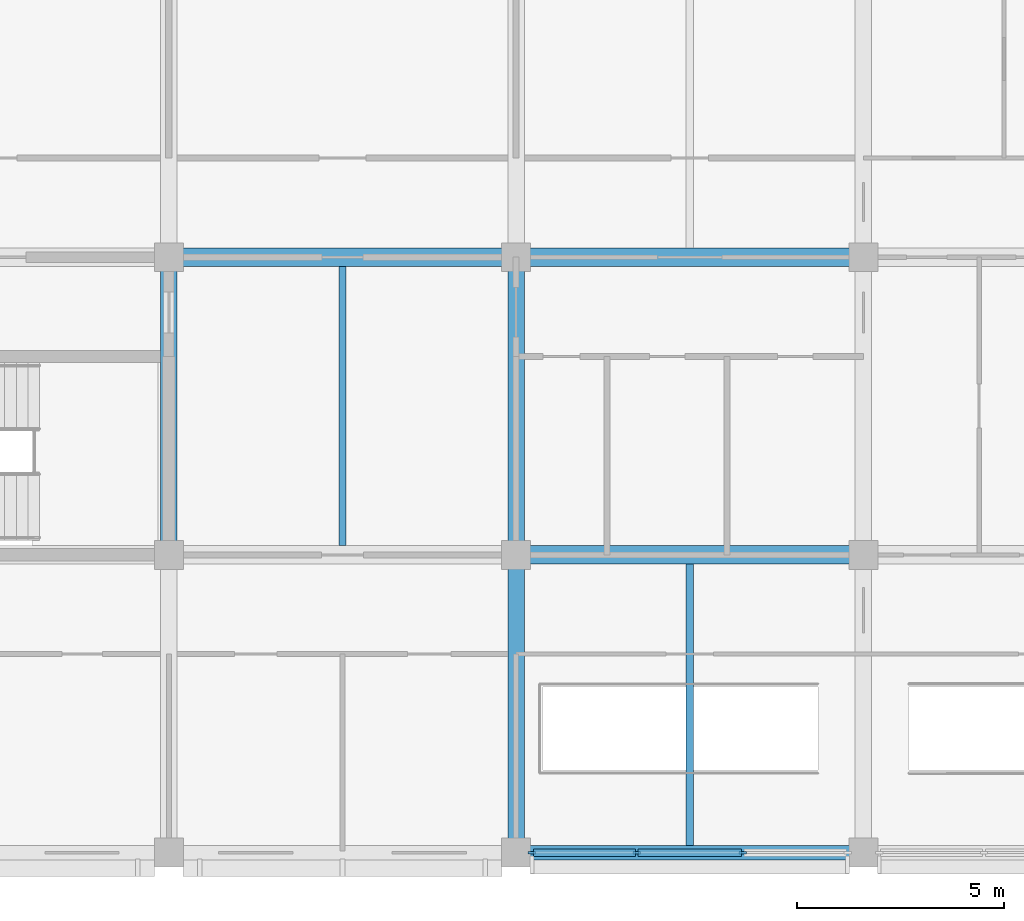
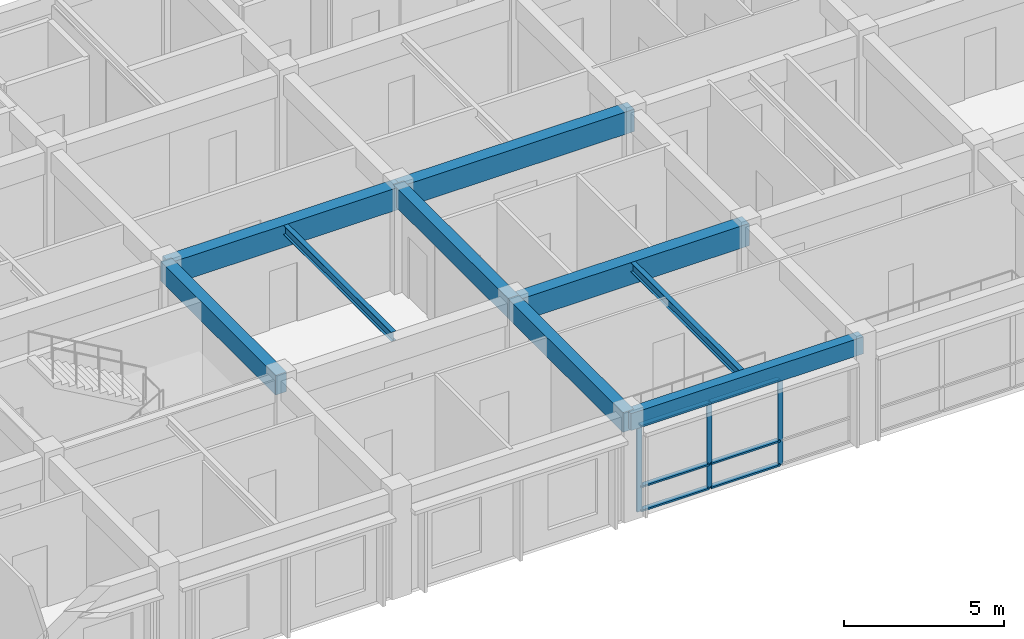
# One storey, part 2 of 17: 9 beams, 9 members, 1 element without a shape of its own.
"""IFC4 building model written with IfcOpenShell, lengths in metres."""

from ifc_helpers import new_model, si_unit, direction, frame, origin, origin_2d, place, context, subcontext, project, spatial, rectangle, i_section, extrude, material, layer, layer_set, material_profile, profile_set, type_object, element, aggregate, save


model = new_model("IFC4")

# Units and contexts
model_context = context("Model", 3, precision=1e-05, world=origin(), true_north=direction((0.0, 1.0)))
body_context = subcontext(model_context, "Body", "Model", "MODEL_VIEW")
ifc_project = project(units=[si_unit("LENGTHUNIT", "METRE"), si_unit("AREAUNIT", "SQUARE_METRE"), si_unit("VOLUMEUNIT", "CUBIC_METRE"), si_unit("PLANEANGLEUNIT", "RADIAN"), si_unit("MASSUNIT", "GRAM", prefix="KILO")], contexts=[model_context])

# Site, building, storey
site_placement = place(None, origin())
site = spatial("IfcSite", under=ifc_project, at=site_placement, CompositionType="ELEMENT")
building_placement = place(site_placement, origin())
building = spatial("IfcBuilding", under=site, at=building_placement, Name="Chengyuan Square Courthouse", CompositionType="ELEMENT")
storey_placement = place(building_placement, frame((0.0, 0.0, 51.89990234375)))
storey = spatial("IfcBuildingStorey", under=building, at=storey_placement, Name="L12", CompositionType="ELEMENT", Elevation=51.89990234375)

# Beams
ifc_material_1 = material(Name="Concrete C40", Category="concrete")
ifc_material_profile_1 = material_profile(ifc_material_1, rectangle(XDim=0.449951171875, YDim=0.85009765625, at=origin_2d()), Name="RC-BM-450x850")
ifc_profile_set_1 = profile_set([ifc_material_profile_1], Name="Concrete C40")
beam_type_1 = type_object("IfcBeamType", Name="BM-01", PredefinedType="USERDEFINED", material=ifc_profile_set_1)
beam_1_placement = place(storey_placement, frame((75.60009765625, 86.39990234375, 3.53515625), z_axis=(1.0, 0.0, 0.0), x_axis=(0.0, 1.0, 0.0)))
element("IfcBeam", 1, at=beam_1_placement, inside=storey, type_object=beam_type_1, Name="Girder BM-L12-4257", ObjectType="GIRDER", PredefinedType="USERDEFINED", context=body_context, shape_type="SweptSolid", body=[
    extrude(rectangle(XDim=0.449951171875, YDim=0.85009765625, at=origin_2d()), origin(), (0.0, 0.0, 1.0), 8.39990234375),
])
beam_2_placement = place(storey_placement, frame((67.199951171875, 93.60009765625, 3.53515625), z_axis=(1.0, 0.0, 0.0), x_axis=(0.0, 1.0, 0.0)))
element("IfcBeam", 2, at=beam_2_placement, inside=storey, type_object=beam_type_1, Name="Girder BM-L12-4264", ObjectType="GIRDER", PredefinedType="USERDEFINED", context=body_context, shape_type="SweptSolid", body=[
    extrude(rectangle(XDim=0.449951171875, YDim=0.85009765625, at=origin_2d()), origin(), (0.0, 0.0, 1.0), 8.400146484375),
])
beam_3_placement = place(storey_placement, frame((75.60009765625, 93.60009765625, 3.53515625), z_axis=(1.0, 0.0, 0.0), x_axis=(0.0, 1.0, 0.0)))
element("IfcBeam", 3, at=beam_3_placement, inside=storey, type_object=beam_type_1, Name="Girder BM-L12-4265", ObjectType="GIRDER", PredefinedType="USERDEFINED", context=body_context, shape_type="SweptSolid", body=[
    extrude(rectangle(XDim=0.449951171875, YDim=0.85009765625, at=origin_2d()), origin(), (0.0, 0.0, 1.0), 8.39990234375),
])
ifc_material_profile_2 = material_profile(ifc_material_1, rectangle(XDim=0.39990234375, YDim=0.75, at=origin_2d()), Name="RC-BM-400x750")
ifc_profile_set_2 = profile_set([ifc_material_profile_2], Name="Concrete C40")
beam_type_2 = type_object("IfcBeamType", Name="BM-02", PredefinedType="USERDEFINED", material=ifc_profile_set_2)
beam_4_placement = place(storey_placement, frame((67.199951171875, 86.39990234375, 3.585205078125), z_axis=(0.0, 1.0, 0.0), x_axis=(-1.0, 0.0, 0.0)))
element("IfcBeam", 4, at=beam_4_placement, inside=storey, type_object=beam_type_2, Name="Girder BM-L12-4295", ObjectType="GIRDER", PredefinedType="USERDEFINED", context=body_context, shape_type="SweptSolid", body=[
    extrude(rectangle(XDim=0.39990234375, YDim=0.75, at=origin_2d()), origin(), (0.0, 0.0, 1.0), 7.2001953125),
])
beam_5_placement = place(storey_placement, frame((75.60009765625, 79.199951171875, 3.585205078125), z_axis=(0.0, 1.0, 0.0), x_axis=(-1.0, 0.0, 0.0)))
element("IfcBeam", 5, at=beam_5_placement, inside=storey, type_object=beam_type_2, Name="Girder BM-L12-4298", ObjectType="GIRDER", PredefinedType="USERDEFINED", context=body_context, shape_type="SweptSolid", body=[
    extrude(rectangle(XDim=0.39990234375, YDim=0.75, at=origin_2d()), origin(), (0.0, 0.0, 1.0), 7.199951171875),
])
beam_6_placement = place(storey_placement, frame((75.60009765625, 86.39990234375, 3.585205078125), z_axis=(0.0, 1.0, 0.0), x_axis=(-1.0, 0.0, 0.0)))
element("IfcBeam", 6, at=beam_6_placement, inside=storey, type_object=beam_type_2, Name="Girder BM-L12-4299", ObjectType="GIRDER", PredefinedType="USERDEFINED", context=body_context, shape_type="SweptSolid", body=[
    extrude(rectangle(XDim=0.39990234375, YDim=0.75, at=origin_2d()), origin(), (0.0, 0.0, 1.0), 7.2001953125),
])
ifc_material_profile_3 = material_profile(ifc_material_1, rectangle(XDim=0.35009765625, YDim=0.64990234375, at=origin_2d()), Name="RC-BM-350x650")
ifc_profile_set_3 = profile_set([ifc_material_profile_3], Name="Concrete C40")
beam_type_3 = type_object("IfcBeamType", Name="BM-03", PredefinedType="SPANDREL", material=ifc_profile_set_3)
beam_7_placement = place(storey_placement, frame((75.60009765625, 79.199951171875, 3.635009765625), z_axis=(1.0, 0.0, 0.0), x_axis=(0.0, 1.0, 0.0)))
element("IfcBeam", 7, at=beam_7_placement, inside=storey, type_object=beam_type_3, Name="Girder BM-L12-4249", PredefinedType="SPANDREL", context=body_context, shape_type="SweptSolid", body=[
    extrude(rectangle(XDim=0.35009765625, YDim=0.64990234375, at=origin_2d()), origin(), (0.0, 0.0, 1.0), 8.39990234375),
])
ifc_material_2 = material(Name="Steel Q355B", Category="steel")
ifc_material_profile_4 = material_profile(ifc_material_2, i_section(OverallWidth=0.175048828125, OverallDepth=0.35009765625, WebThickness=0.007080078125, FlangeThickness=0.010986328125, at=origin_2d()), Name="HN 350x175x7x11")
ifc_profile_set_4 = profile_set([ifc_material_profile_4], Name="Steel Q355B")
beam_type_4 = type_object("IfcBeamType", Name="BM-08", PredefinedType="BEAM", material=ifc_profile_set_4)
beam_8_placement = place(storey_placement, frame((71.39990234375, 86.625, 3.78515625), z_axis=(0.0, 1.0, 0.0), x_axis=(-1.0, 0.0, 0.0)))
element("IfcBeam", 8, at=beam_8_placement, inside=storey, type_object=beam_type_4, Name="Secondary Floor Beam SBM-L12-4326", PredefinedType="BEAM", context=body_context, shape_type="SweptSolid", body=[
    extrude(i_section(OverallWidth=0.175048828125, OverallDepth=0.35009765625, WebThickness=0.007080078125, FlangeThickness=0.010986328125, at=origin_2d()), origin(), (0.0, 0.0, 1.0), 6.75),
])
beam_9_placement = place(storey_placement, frame((79.800048828125, 79.375, 3.78515625), z_axis=(0.0, 1.0, 0.0), x_axis=(-1.0, 0.0, 0.0)))
element("IfcBeam", 9, at=beam_9_placement, inside=storey, type_object=beam_type_4, Name="Secondary Floor Beam SBM-L12-4328", PredefinedType="BEAM", context=body_context, shape_type="SweptSolid", body=[
    extrude(i_section(OverallWidth=0.175048828125, OverallDepth=0.35009765625, WebThickness=0.007080078125, FlangeThickness=0.010986328125, at=origin_2d()), origin(), (0.0, 0.0, 1.0), 6.800048828125),
])

# Curtain wall, members
ifc_material_3 = material(Name="Unitised Aluminium and Triple Low-E Glass", Category="aluminium")
ifc_layer = layer(ifc_material_3, 0.179931640625)
ifc_layer_set = layer_set([ifc_layer], Name="Unitised Aluminium and Triple Low-E Glass")
curtain_wall_type = type_object("IfcCurtainWallType", Name="CW-10", PredefinedType="USERDEFINED", material=ifc_layer_set)
curtain_wall_placement = place(storey_placement, origin())
curtain_wall = element("IfcCurtainWall", 10, at=curtain_wall_placement, inside=storey, type_object=curtain_wall_type, Name="Unitised Curtain Wall CW-L12-264", ObjectType="UNITISED CURTAIN WALL", PredefinedType="USERDEFINED")
ifc_material_4 = material(Name="Aluminium 6063-T6 Frame", Category="aluminium")
ifc_material_profile_5 = material_profile(ifc_material_4, rectangle(XDim=0.06494140625, YDim=0.179931640625, at=origin_2d()), Name="CW-MUL-65x180")
ifc_profile_set_5 = profile_set([ifc_material_profile_5], Name="Aluminium 6063-T6 Frame")
member_type_1 = type_object("IfcMemberType", Name="CWM-02", PredefinedType="MULLION", material=ifc_profile_set_5)
member_1_placement = place(storey_placement, frame((75.982421875, 79.199951171875, 0.0), z_axis=(0.0, 0.0, 1.0), x_axis=(0.0, 1.0, 0.0)))
member_1 = element("IfcMember", 11, at=member_1_placement, type_object=member_type_1, Name="CW-10 mullion 1", PredefinedType="MULLION", context=body_context, shape_type="SweptSolid", body=[
    extrude(rectangle(XDim=0.06494140625, YDim=0.179931640625, at=origin_2d()), origin(), (0.0, 0.0, 1.0), 3.31005859375),
])
member_2_placement = place(storey_placement, frame((78.5166015625, 79.199951171875, 0.0), z_axis=(0.0, 0.0, 1.0), x_axis=(0.0, 1.0, 0.0)))
member_2 = element("IfcMember", 12, at=member_2_placement, type_object=member_type_1, Name="CW-10 mullion 2", PredefinedType="MULLION", context=body_context, shape_type="SweptSolid", body=[
    extrude(rectangle(XDim=0.06494140625, YDim=0.179931640625, at=origin_2d()), origin(), (0.0, 0.0, 1.0), 3.31005859375),
])
member_3_placement = place(storey_placement, frame((81.083251953125, 79.199951171875, 0.0), z_axis=(0.0, 0.0, 1.0), x_axis=(0.0, 1.0, 0.0)))
member_3 = element("IfcMember", 13, at=member_3_placement, type_object=member_type_1, Name="CW-10 mullion 3", PredefinedType="MULLION", context=body_context, shape_type="SweptSolid", body=[
    extrude(rectangle(XDim=0.06494140625, YDim=0.179931640625, at=origin_2d()), origin(), (0.0, 0.0, 1.0), 3.31005859375),
])
ifc_material_profile_6 = material_profile(ifc_material_4, rectangle(XDim=0.179931640625, YDim=0.06494140625, at=origin_2d()), Name="CW-TRN-65x140")
ifc_profile_set_6 = profile_set([ifc_material_profile_6], Name="Aluminium 6063-T6 Frame")
member_type_2 = type_object("IfcMemberType", Name="CWT-02", PredefinedType="USERDEFINED", material=ifc_profile_set_6)
member_4_placement = place(storey_placement, frame((76.014892578125, 79.199951171875, 0.03271484375), z_axis=(1.0, 0.0, 0.0), x_axis=(0.0, 1.0, 0.0)))
member_4 = element("IfcMember", 14, at=member_4_placement, type_object=member_type_2, Name="CW-10 transom 1.1", ObjectType="TRANSOM", PredefinedType="USERDEFINED", context=body_context, shape_type="SweptSolid", body=[
    extrude(rectangle(XDim=0.179931640625, YDim=0.06494140625, at=origin_2d()), origin(), (0.0, 0.0, 1.0), 2.46923828125),
])
member_5_placement = place(storey_placement, frame((76.014892578125, 79.199951171875, 0.9501953125), z_axis=(1.0, 0.0, 0.0), x_axis=(0.0, 1.0, 0.0)))
member_5 = element("IfcMember", 15, at=member_5_placement, type_object=member_type_2, Name="CW-10 transom 1.2", ObjectType="TRANSOM", PredefinedType="USERDEFINED", context=body_context, shape_type="SweptSolid", body=[
    extrude(rectangle(XDim=0.179931640625, YDim=0.06494140625, at=origin_2d()), origin(), (0.0, 0.0, 1.0), 2.46923828125),
])
member_6_placement = place(storey_placement, frame((76.014892578125, 79.199951171875, 3.277587890625), z_axis=(1.0, 0.0, 0.0), x_axis=(0.0, 1.0, 0.0)))
member_6 = element("IfcMember", 16, at=member_6_placement, type_object=member_type_2, Name="CW-10 transom 1.3", ObjectType="TRANSOM", PredefinedType="USERDEFINED", context=body_context, shape_type="SweptSolid", body=[
    extrude(rectangle(XDim=0.179931640625, YDim=0.06494140625, at=origin_2d()), origin(), (0.0, 0.0, 1.0), 2.46923828125),
])
member_7_placement = place(storey_placement, frame((78.549072265625, 79.199951171875, 0.03271484375), z_axis=(1.0, 0.0, 0.0), x_axis=(0.0, 1.0, 0.0)))
member_7 = element("IfcMember", 17, at=member_7_placement, type_object=member_type_2, Name="CW-10 transom 2.1", ObjectType="TRANSOM", PredefinedType="USERDEFINED", context=body_context, shape_type="SweptSolid", body=[
    extrude(rectangle(XDim=0.179931640625, YDim=0.06494140625, at=origin_2d()), origin(), (0.0, 0.0, 1.0), 2.501708984375),
])
member_8_placement = place(storey_placement, frame((78.549072265625, 79.199951171875, 0.9501953125), z_axis=(1.0, 0.0, 0.0), x_axis=(0.0, 1.0, 0.0)))
member_8 = element("IfcMember", 18, at=member_8_placement, type_object=member_type_2, Name="CW-10 transom 2.2", ObjectType="TRANSOM", PredefinedType="USERDEFINED", context=body_context, shape_type="SweptSolid", body=[
    extrude(rectangle(XDim=0.179931640625, YDim=0.06494140625, at=origin_2d()), origin(), (0.0, 0.0, 1.0), 2.501708984375),
])
member_9_placement = place(storey_placement, frame((78.549072265625, 79.199951171875, 3.277587890625), z_axis=(1.0, 0.0, 0.0), x_axis=(0.0, 1.0, 0.0)))
member_9 = element("IfcMember", 19, at=member_9_placement, type_object=member_type_2, Name="CW-10 transom 2.3", ObjectType="TRANSOM", PredefinedType="USERDEFINED", context=body_context, shape_type="SweptSolid", body=[
    extrude(rectangle(XDim=0.179931640625, YDim=0.06494140625, at=origin_2d()), origin(), (0.0, 0.0, 1.0), 2.501708984375),
])
aggregate(curtain_wall, [member_1, member_2, member_3, member_4, member_5, member_6, member_7, member_8, member_9])

save(model, "model.ifc")
